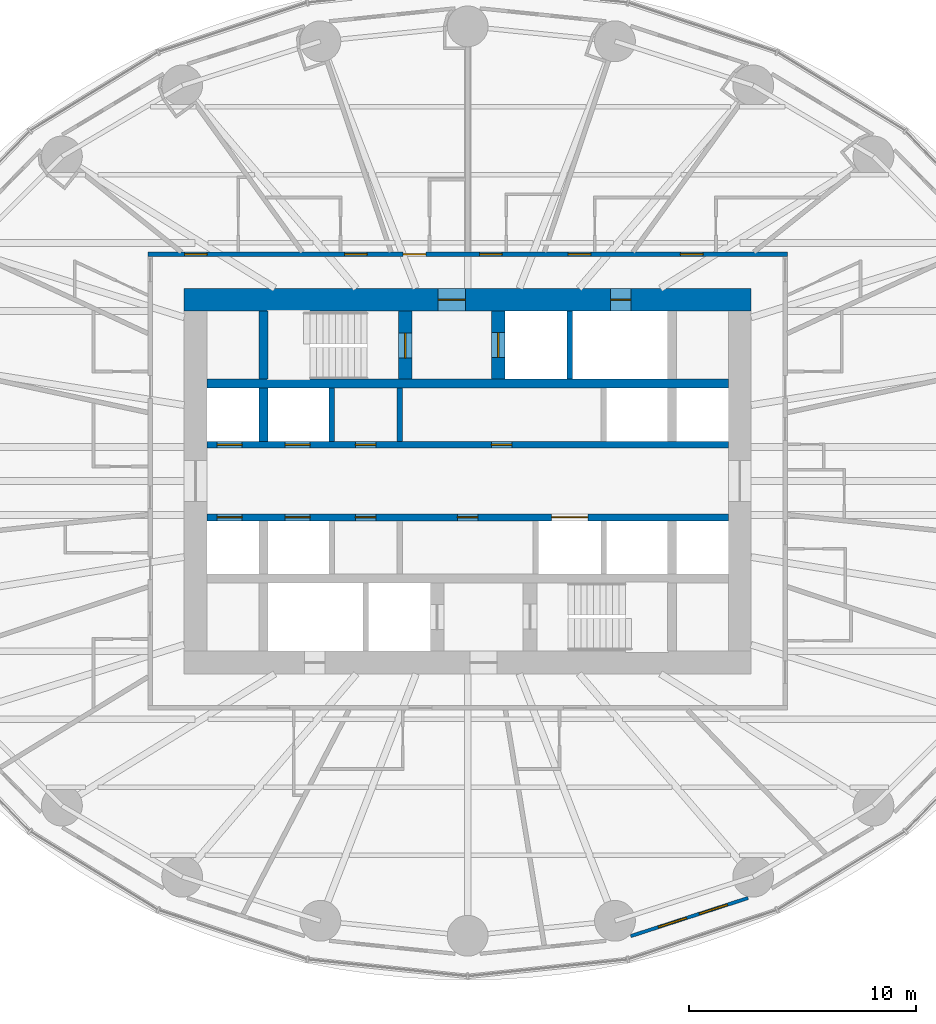
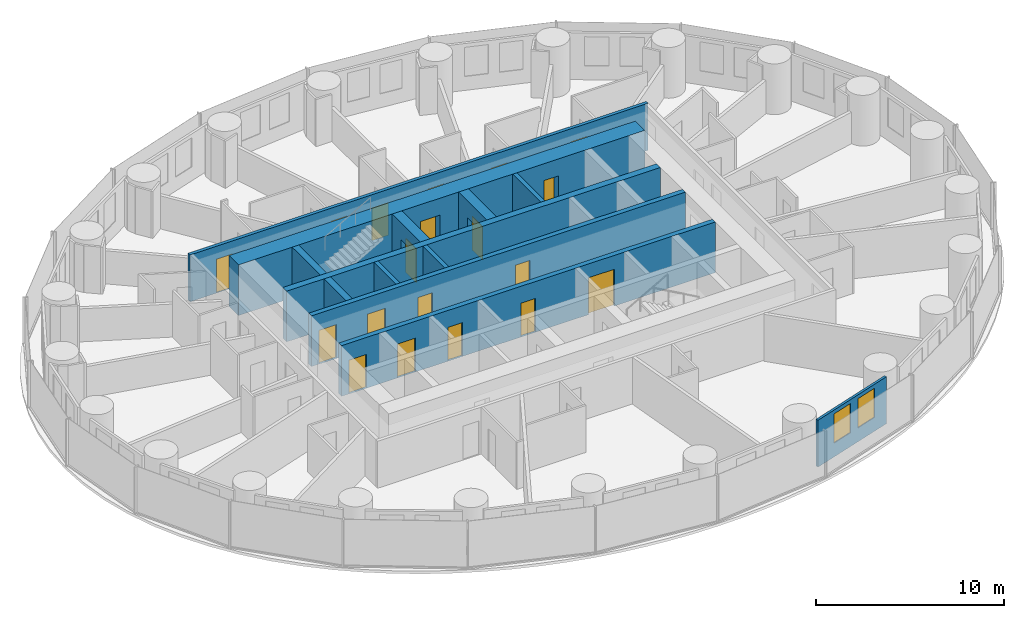
# One storey, part 8 of 13: 19 doors, 13 walls, 2 windows, 21 openings.
"""IFC4 building model written with IfcOpenShell, lengths in metres."""

import ifcopenshell
import ifcopenshell.guid

model = None  # the IFC model being written
_history = None  # IfcOwnerHistory: only IFC2X3 demands one
_inside = {}  # id of a spatial element -> (the spatial element, [elements in it])
_under = {}  # id of a project, library or spatial element -> (it, [spatial elements below it])
_declared = {}  # id of a project -> (the project, [libraries it declares])
_typed = {}  # id of a type object -> (the type object, [elements of that type])
_made_of = {}  # id of a material, layer set ... -> (it, [elements and type objects made of it])


def new_model(schema):
    """Start an empty IFC model of exactly this schema.

    Asked for "IFC4X3", IfcOpenShell would pick the latest addendum, in which some entities
    have other attributes; the version numbers below select the first issue.
    IFC2X3 requires an IfcOwnerHistory on every rooted entity: one is made here for all.
    """
    global model, _history
    if schema == "IFC4X3":
        model = ifcopenshell.file(schema_version=(4, 3, 0, 0))
    else:
        model = ifcopenshell.file(schema=schema)
    _inside.clear()
    _under.clear()
    _declared.clear()
    _typed.clear()
    _made_of.clear()
    _history = None
    if model.schema == "IFC2X3":
        org = make("IfcOrganization", Name="unknown")
        user = make(
            "IfcPersonAndOrganization",
            ThePerson=make("IfcPerson", FamilyName="unknown"),
            TheOrganization=org,
        )
        app = make(
            "IfcApplication",
            ApplicationDeveloper=org,
            Version="unknown",
            ApplicationFullName="unknown",
            ApplicationIdentifier="unknown",
        )
        _history = make(
            "IfcOwnerHistory",
            OwningUser=user,
            OwningApplication=app,
            ChangeAction="ADDED",
            CreationDate=0,
        )
    return model


def make(cls, **values):
    """One entity of the class cls with the attributes given. An attribute that is None is left unset."""
    return model.create_entity(
        cls, **{name: value for name, value in values.items() if value is not None}
    )


def rooted(cls, **values):
    """An entity with a GlobalId (a new one), such as an element, a storey or a relation."""
    return make(cls, GlobalId=ifcopenshell.guid.new(), OwnerHistory=_history, **values)


def si_unit(unit_type, name, prefix=None):
    """IfcSIUnit, for example si_unit("LENGTHUNIT", "METRE", prefix="MILLI")."""
    return make("IfcSIUnit", UnitType=unit_type, Prefix=prefix, Name=name)


def assignment(units):
    """IfcUnitAssignment: the units of a project."""
    return None if units is None else make("IfcUnitAssignment", Units=units)


def point(xyz):
    """IfcCartesianPoint."""
    return None if xyz is None else make("IfcCartesianPoint", Coordinates=xyz)


def direction(xyz):
    """IfcDirection."""
    return None if xyz is None else make("IfcDirection", DirectionRatios=xyz)


def frame(location, z_axis=None, x_axis=None):
    """IfcAxis2Placement3D, a coordinate frame: its origin and axes. An axis left out is left unset."""
    return make(
        "IfcAxis2Placement3D",
        Location=point(location),
        Axis=direction(z_axis),
        RefDirection=direction(x_axis),
    )


def frame_2d(location, x_axis=None):
    """IfcAxis2Placement2D, a coordinate frame in the plane: its origin and x axis."""
    return make(
        "IfcAxis2Placement2D", Location=point(location), RefDirection=direction(x_axis)
    )


def origin():
    """The frame at (0, 0, 0) with its axes left unset."""
    return frame((0.0, 0.0, 0.0))


def place(relative_to, where):
    """IfcLocalPlacement: puts the frame where relative to a parent placement (None: the world)."""
    return make(
        "IfcLocalPlacement", PlacementRelTo=relative_to, RelativePlacement=where
    )


def context(
    kind, dimensions, precision=None, world=None, true_north=None, identifier=None
):
    """IfcGeometricRepresentationContext, for example the 3D "Model" context."""
    return make(
        "IfcGeometricRepresentationContext",
        ContextIdentifier=identifier,
        ContextType=kind,
        CoordinateSpaceDimension=dimensions,
        Precision=precision,
        WorldCoordinateSystem=world,
        TrueNorth=true_north,
    )


def subcontext(parent, identifier, kind, view, scale=None):
    """IfcGeometricRepresentationSubContext, for example "Body" below "Model"."""
    return make(
        "IfcGeometricRepresentationSubContext",
        ContextIdentifier=identifier,
        ContextType=kind,
        ParentContext=parent,
        TargetScale=scale,
        TargetView=view,
    )


def project(units=None, contexts=None):
    """IfcProject with its units and contexts."""
    return rooted(
        "IfcProject",
        Name="project",
        RepresentationContexts=contexts,
        UnitsInContext=assignment(units),
    )


def spatial(cls, under=None, at=None, **own):
    """A site, building, storey or space (cls), placed at a placement, below another one or the project."""
    s = rooted(cls, ObjectPlacement=at, **own)
    if under is not None:
        _under.setdefault(under.id(), (under, []))[1].append(s)
    return s


def profile(cls, at=None, kind="AREA", **sizes):
    """A parametric profile (cls). Its sizes go by their IFC names, for example OverallWidth=200.0."""
    return make(cls, ProfileType=kind, Position=at, **sizes)


def rectangle(**sizes):
    """IfcRectangleProfileDef."""
    return profile("IfcRectangleProfileDef", **sizes)


def extrude(swept, where, along, depth):
    """IfcExtrudedAreaSolid: the profile swept, set in the frame where, extruded along a direction by depth."""
    return make(
        "IfcExtrudedAreaSolid",
        SweptArea=swept,
        Position=where,
        ExtrudedDirection=direction(along),
        Depth=depth,
    )


def shape(context_of_items, identifier, shape_type, items):
    """IfcShapeRepresentation: the items that make up one representation, for example the "Body"."""
    return make(
        "IfcShapeRepresentation",
        ContextOfItems=context_of_items,
        RepresentationIdentifier=identifier,
        RepresentationType=shape_type,
        Items=items,
    )


def material(Name=None, Category=None):
    """IfcMaterial."""
    return make("IfcMaterial", Name=Name, Category=Category)


def layer(
    of_material, thickness, ventilated=None, Name=None, Category=None, Priority=None
):
    """IfcMaterialLayer: one layer of a wall or slab, of a material (None: an air gap)."""
    return make(
        "IfcMaterialLayer",
        Material=of_material,
        LayerThickness=thickness,
        IsVentilated=ventilated,
        Name=Name,
        Category=Category,
        Priority=Priority,
    )


def layer_set(layers, Name=None):
    """IfcMaterialLayerSet."""
    return make("IfcMaterialLayerSet", MaterialLayers=layers, LayerSetName=Name)


def made_of(thing, what):
    """Note that an element or type object is made of a material, layer set ...; save() writes the relation."""
    if what is not None:
        _made_of.setdefault(what.id(), (what, []))[1].append(thing)
    return thing


def type_object(cls, material=None, **own):
    """A type object (cls), such as IfcWallType, which elements share."""
    return made_of(rooted(cls, **own), material)


def element(
    cls,
    number,
    at=None,
    inside=None,
    cuts=None,
    type_object=None,
    material=None,
    context=None,
    identifier="Body",
    shape_type=None,
    held_by="IfcProductDefinitionShape",
    body=None,
    shapes=None,
    **own,
):
    """One element of the class cls, such as IfcWall. Its Tag is "e" and its number.

    at: its placement. inside: the storey or other place that contains it. cuts: it is an
    opening in that element (IfcRelVoidsElement). A single representation is given by context,
    identifier, shape_type and body (its items); several are given by shapes. held_by: the class
    of the entity that holds the representations. save() writes the other relations.
    """
    e = rooted(cls, Tag="e%d" % number, ObjectPlacement=at, **own)
    if body is not None:
        shapes = [shape(context, identifier, shape_type, body)]
    if shapes is not None:
        e.Representation = make(held_by, Representations=shapes)
    if inside is not None:
        _inside.setdefault(inside.id(), (inside, []))[1].append(e)
    if cuts is not None:
        rooted(
            "IfcRelVoidsElement", RelatingBuildingElement=cuts, RelatedOpeningElement=e
        )
    if type_object is not None:
        _typed.setdefault(type_object.id(), (type_object, []))[1].append(e)
    return made_of(e, material)


def fill(opening, filler):
    """IfcRelFillsElement: the door or window that sits in an opening."""
    return rooted(
        "IfcRelFillsElement",
        RelatingOpeningElement=opening,
        RelatedBuildingElement=filler,
    )


def aggregate(whole, parts):
    """IfcRelAggregates: a whole, such as a stair, and the parts it consists of."""
    return rooted("IfcRelAggregates", RelatingObject=whole, RelatedObjects=parts)


def save(model, path):
    """Write the relations noted so far, then the file.

    IfcRelAggregates (storeys below a building ...), IfcRelContainedInSpatialStructure (elements
    in a storey), IfcRelDefinesByType, IfcRelAssociatesMaterial and IfcRelDeclares: one each for
    every whole, place, type object, material and project.
    """
    for whole, parts in _under.values():
        aggregate(whole, parts)
    for where, things in _inside.values():
        rooted(
            "IfcRelContainedInSpatialStructure",
            RelatedElements=things,
            RelatingStructure=where,
        )
    for kind, things in _typed.values():
        rooted("IfcRelDefinesByType", RelatedObjects=things, RelatingType=kind)
    for what, things in _made_of.values():
        rooted("IfcRelAssociatesMaterial", RelatedObjects=things, RelatingMaterial=what)
    for by, libraries in _declared.values():
        rooted("IfcRelDeclares", RelatingContext=by, RelatedDefinitions=libraries)
    model.write(path)


model = new_model("IFC4")

# Units and contexts
model_context = context("Model", 3, precision=1e-05, world=origin(), true_north=direction((0.0, 1.0)))
body_context = subcontext(model_context, "Body", "Model", "MODEL_VIEW")
ifc_project = project(units=[si_unit("LENGTHUNIT", "METRE"), si_unit("AREAUNIT", "SQUARE_METRE"), si_unit("VOLUMEUNIT", "CUBIC_METRE"), si_unit("PLANEANGLEUNIT", "RADIAN"), si_unit("MASSUNIT", "GRAM", prefix="KILO")], contexts=[model_context])

# Site, building, storey
site_placement = place(None, origin())
site = spatial("IfcSite", under=ifc_project, at=site_placement, CompositionType="ELEMENT")
building_placement = place(site_placement, origin())
building = spatial("IfcBuilding", under=site, at=building_placement, Name="Hankou Lantern Tower", CompositionType="ELEMENT")
storey_placement = place(building_placement, frame((0.0, 0.0, 42.60009765625)))
storey = spatial("IfcBuildingStorey", under=building, at=storey_placement, Name="L09", CompositionType="ELEMENT", Elevation=42.60009765625)

# Wall, openings, doors
ifc_material_1 = material(Name="Concrete C60", Category="concrete")
ifc_layer_1 = layer(ifc_material_1, 1.0)
ifc_layer_set_1 = layer_set([ifc_layer_1], Name="Concrete C60")
wall_type_1 = type_object("IfcWallType", Name="CW1 CORE WALL 1000", PredefinedType="SHEAR", material=ifc_layer_set_1)
wall_1_placement = place(storey_placement, frame((-12.5, 8.0, 0.0), z_axis=(0.0, 0.0, 1.0), x_axis=(1.0, 0.0, 0.0)))
wall_1 = element("IfcWall", 1, at=wall_1_placement, inside=storey, type_object=wall_type_1, Name="Core wall north L09", PredefinedType="SHEAR", context=body_context, shape_type="SweptSolid", body=[
    extrude(rectangle(XDim=25.0, YDim=1.0, at=frame_2d((12.5, 0.0))), origin(), (0.0, 0.0, 1.0), 3.2998046875),
])
opening_1_placement = place(wall_1_placement, frame((11.199951171875, 0.0, 0.0)))
opening_1 = element("IfcOpeningElement", 2, at=opening_1_placement, cuts=wall_1, Name="Opening D5", PredefinedType="OPENING", context=body_context, shape_type="SweptSolid", body=[
    extrude(rectangle(XDim=1.199951171875, YDim=2.199951171875, at=frame_2d((0.60009765625, 1.10009765625))), frame((0.0, 0.510009765625, 0.0), z_axis=(0.0, -1.0, 0.0), x_axis=(1.0, 0.0, 0.0)), (0.0, 0.0, 1.0), 1.02001953125),
])
opening_2_placement = place(wall_1_placement, frame((18.800048828125, 0.0, 0.0)))
opening_2 = element("IfcOpeningElement", 3, at=opening_2_placement, cuts=wall_1, Name="Opening D7", PredefinedType="OPENING", context=body_context, shape_type="SweptSolid", body=[
    extrude(rectangle(XDim=0.89990234375, YDim=2.199951171875, at=frame_2d((0.449951171875, 1.10009765625))), frame((0.0, 0.510009765625, 0.0), z_axis=(0.0, -1.0, 0.0), x_axis=(1.0, 0.0, 0.0)), (0.0, 0.0, 1.0), 1.02001953125),
])
ifc_material_2 = material(Name="Steel door leaf", Category="steel")
door_type_1 = type_object("IfcDoorType", Name="D5 STAIR LOBBY DOOR 1200X2200", OperationType="SINGLE_SWING_LEFT", PredefinedType="DOOR", material=ifc_material_2)
door_1_placement = place(opening_1_placement, origin())
door_1 = element("IfcDoor", 4, at=door_1_placement, inside=storey, type_object=door_type_1, Name="Stair A lobby door", OperationType="SINGLE_SWING_LEFT", OverallHeight=2.199951171875, OverallWidth=1.199951171875, PredefinedType="DOOR", context=body_context, shape_type="SweptSolid", body=[
    extrude(rectangle(XDim=1.199951171875, YDim=2.199951171875, at=frame_2d((0.60009765625, 1.10009765625))), frame((0.0, 0.02490234375, 0.0), z_axis=(0.0, -1.0, 0.0), x_axis=(1.0, 0.0, 0.0)), (0.0, 0.0, 1.0), 0.050048828125),
])
fill(opening_1, door_1)
ifc_material_3 = material(Name="Steel door leaf", Category="steel")
door_type_2 = type_object("IfcDoorType", Name="D7 RISER DOOR 900X2200", OperationType="SINGLE_SWING_LEFT", PredefinedType="DOOR", material=ifc_material_3)
door_2_placement = place(opening_2_placement, origin())
door_2 = element("IfcDoor", 5, at=door_2_placement, inside=storey, type_object=door_type_2, Name="Riser N1 door", OperationType="SINGLE_SWING_RIGHT", OverallHeight=2.199951171875, OverallWidth=0.89990234375, PredefinedType="DOOR", context=body_context, shape_type="SweptSolid", body=[
    extrude(rectangle(XDim=0.89990234375, YDim=2.199951171875, at=frame_2d((0.449951171875, 1.10009765625))), frame((0.0, 0.02490234375, 0.0), z_axis=(0.0, -1.0, 0.0), x_axis=(1.0, 0.0, 0.0)), (0.0, 0.0, 1.0), 0.050048828125),
])
fill(opening_2, door_2)

# Walls
ifc_material_4 = material(Name="Concrete C60", Category="concrete")
ifc_layer_2 = layer(ifc_material_4, 0.39990234375)
ifc_layer_set_2 = layer_set([ifc_layer_2], Name="Concrete C60")
wall_type_2 = type_object("IfcWallType", Name="CW4 CORE CROSS WALL 400", PredefinedType="SHEAR", material=ifc_layer_set_2)
wall_2_placement = place(storey_placement, frame((-11.5, 4.300048828125, 0.0), z_axis=(0.0, 0.0, 1.0), x_axis=(1.0, 0.0, 0.0)))
element("IfcWall", 6, at=wall_2_placement, inside=storey, type_object=wall_type_2, Name="Core band wall north L09", PredefinedType="SHEAR", context=body_context, shape_type="SweptSolid", body=[
    extrude(rectangle(XDim=23.0, YDim=0.39990234375, at=frame_2d((11.5, 0.0))), origin(), (0.0, 0.0, 1.0), 3.2998046875),
])
wall_3_placement = place(storey_placement, frame((-9.0, 4.5, 0.0), z_axis=(0.0, 0.0, 1.0), x_axis=(0.0, 1.0, 0.0)))
element("IfcWall", 7, at=wall_3_placement, inside=storey, type_object=wall_type_2, Name="Core strip wall L09", PredefinedType="SHEAR", context=body_context, shape_type="SweptSolid", body=[
    extrude(rectangle(XDim=3.0, YDim=0.39990234375, at=frame_2d((1.5, 0.0))), origin(), (0.0, 0.0, 1.0), 3.2998046875),
])
wall_4_placement = place(storey_placement, frame((-9.0, 1.75, 0.0), z_axis=(0.0, 0.0, 1.0), x_axis=(0.0, 1.0, 0.0)))
element("IfcWall", 8, at=wall_4_placement, inside=storey, type_object=wall_type_2, Name="Core strip wall L09", PredefinedType="SHEAR", context=body_context, shape_type="SweptSolid", body=[
    extrude(rectangle(XDim=2.35009765625, YDim=0.39990234375, at=frame_2d((1.175048828125, 0.0))), origin(), (0.0, 0.0, 1.0), 3.2998046875),
])

# Wall, openings, doors
ifc_material_5 = material(Name="Concrete C60", Category="concrete")
ifc_layer_3 = layer(ifc_material_5, 0.300048828125)
ifc_layer_set_3 = layer_set([ifc_layer_3], Name="Concrete C60")
wall_type_3 = type_object("IfcWallType", Name="CW5 LIFT LOBBY WALL 300", PredefinedType="SHEAR", material=ifc_layer_set_3)
wall_5_placement = place(storey_placement, frame((-11.5, 1.60009765625, 0.0), z_axis=(0.0, 0.0, 1.0), x_axis=(1.0, 0.0, 0.0)))
wall_5 = element("IfcWall", 9, at=wall_5_placement, inside=storey, type_object=wall_type_3, Name="Lift lobby wall north L09", PredefinedType="SHEAR", context=body_context, shape_type="SweptSolid", body=[
    extrude(rectangle(XDim=23.0, YDim=0.300048828125, at=frame_2d((11.5, 0.0))), origin(), (0.0, 0.0, 1.0), 3.2998046875),
])
opening_3_placement = place(wall_5_placement, frame((0.449951171875, 0.0, 0.0)))
opening_3 = element("IfcOpeningElement", 10, at=opening_3_placement, cuts=wall_5, Name="Opening LD1", PredefinedType="OPENING", context=body_context, shape_type="SweptSolid", body=[
    extrude(rectangle(XDim=1.10009765625, YDim=2.199951171875, at=frame_2d((0.550048828125, 1.10009765625))), frame((0.0, 0.159912109375, 0.0), z_axis=(0.0, -1.0, 0.0), x_axis=(1.0, 0.0, 0.0)), (0.0, 0.0, 1.0), 0.320068359375),
])
opening_4_placement = place(wall_5_placement, frame((3.449951171875, 0.0, 0.0)))
opening_4 = element("IfcOpeningElement", 11, at=opening_4_placement, cuts=wall_5, Name="Opening LD1", PredefinedType="OPENING", context=body_context, shape_type="SweptSolid", body=[
    extrude(rectangle(XDim=1.10009765625, YDim=2.199951171875, at=frame_2d((0.550048828125, 1.10009765625))), frame((0.0, 0.159912109375, 0.0), z_axis=(0.0, -1.0, 0.0), x_axis=(1.0, 0.0, 0.0)), (0.0, 0.0, 1.0), 0.320068359375),
])
opening_5_placement = place(wall_5_placement, frame((6.550048828125, 0.0, 0.0)))
opening_5 = element("IfcOpeningElement", 12, at=opening_5_placement, cuts=wall_5, Name="Opening D30", PredefinedType="OPENING", context=body_context, shape_type="SweptSolid", body=[
    extrude(rectangle(XDim=0.89990234375, YDim=2.199951171875, at=frame_2d((0.449951171875, 1.10009765625))), frame((0.0, 0.159912109375, 0.0), z_axis=(0.0, -1.0, 0.0), x_axis=(1.0, 0.0, 0.0)), (0.0, 0.0, 1.0), 0.320068359375),
])
opening_6_placement = place(wall_5_placement, frame((12.550048828125, 0.0, 0.0)))
opening_6 = element("IfcOpeningElement", 13, at=opening_6_placement, cuts=wall_5, Name="Opening D30", PredefinedType="OPENING", context=body_context, shape_type="SweptSolid", body=[
    extrude(rectangle(XDim=0.89990234375, YDim=2.199951171875, at=frame_2d((0.449951171875, 1.10009765625))), frame((0.0, 0.159912109375, 0.0), z_axis=(0.0, -1.0, 0.0), x_axis=(1.0, 0.0, 0.0)), (0.0, 0.0, 1.0), 0.320068359375),
])
ifc_material_6 = material(Name="Steel door leaf", Category="steel")
door_type_3 = type_object("IfcDoorType", Name="D30 CORE ROOM DOOR 900X2200", OperationType="SINGLE_SWING_LEFT", PredefinedType="DOOR", material=ifc_material_6)
door_3_placement = place(opening_5_placement, origin())
door_3 = element("IfcDoor", 14, at=door_3_placement, inside=storey, type_object=door_type_3, Name="Engineering store door", OperationType="SINGLE_SWING_LEFT", OverallHeight=2.199951171875, OverallWidth=0.89990234375, PredefinedType="DOOR", context=body_context, shape_type="SweptSolid", body=[
    extrude(rectangle(XDim=0.89990234375, YDim=2.199951171875, at=frame_2d((0.449951171875, 1.10009765625))), frame((0.0, 0.02490234375, 0.0), z_axis=(0.0, -1.0, 0.0), x_axis=(1.0, 0.0, 0.0)), (0.0, 0.0, 1.0), 0.050048828125),
])
fill(opening_5, door_3)
door_4_placement = place(opening_6_placement, origin())
door_4 = element("IfcDoor", 15, at=door_4_placement, inside=storey, type_object=door_type_3, Name="Housekeeping and linen store door", OperationType="SINGLE_SWING_RIGHT", OverallHeight=2.199951171875, OverallWidth=0.89990234375, PredefinedType="DOOR", context=body_context, shape_type="SweptSolid", body=[
    extrude(rectangle(XDim=0.89990234375, YDim=2.199951171875, at=frame_2d((0.449951171875, 1.10009765625))), frame((0.0, 0.02490234375, 0.0), z_axis=(0.0, -1.0, 0.0), x_axis=(1.0, 0.0, 0.0)), (0.0, 0.0, 1.0), 0.050048828125),
])
fill(opening_6, door_4)
ifc_material_7 = material(Name="Steel door leaf", Category="steel")
door_type_4 = type_object("IfcDoorType", Name="LD1 LIFT LANDING DOOR 1100X2200", OperationType="DOUBLE_DOOR_SLIDING", PredefinedType="DOOR", material=ifc_material_7)
door_5_placement = place(opening_3_placement, origin())
door_5 = element("IfcDoor", 16, at=door_5_placement, inside=storey, type_object=door_type_4, Name="Lift L1 landing door", OperationType="DOUBLE_DOOR_SLIDING", OverallHeight=2.199951171875, OverallWidth=1.10009765625, PredefinedType="DOOR", context=body_context, shape_type="SweptSolid", body=[
    extrude(rectangle(XDim=1.10009765625, YDim=2.199951171875, at=frame_2d((0.550048828125, 1.10009765625))), frame((0.0, 0.02490234375, 0.0), z_axis=(0.0, -1.0, 0.0), x_axis=(1.0, 0.0, 0.0)), (0.0, 0.0, 1.0), 0.050048828125),
])
fill(opening_3, door_5)
door_6_placement = place(opening_4_placement, origin())
door_6 = element("IfcDoor", 17, at=door_6_placement, inside=storey, type_object=door_type_4, Name="Lift L2 landing door", OperationType="DOUBLE_DOOR_SLIDING", OverallHeight=2.199951171875, OverallWidth=1.10009765625, PredefinedType="DOOR", context=body_context, shape_type="SweptSolid", body=[
    extrude(rectangle(XDim=1.10009765625, YDim=2.199951171875, at=frame_2d((0.550048828125, 1.10009765625))), frame((0.0, 0.02490234375, 0.0), z_axis=(0.0, -1.0, 0.0), x_axis=(1.0, 0.0, 0.0)), (0.0, 0.0, 1.0), 0.050048828125),
])
fill(opening_4, door_6)

wall_6_placement = place(storey_placement, frame((-11.5, -1.60009765625, 0.0), z_axis=(0.0, 0.0, 1.0), x_axis=(1.0, 0.0, 0.0)))
wall_6 = element("IfcWall", 18, at=wall_6_placement, inside=storey, type_object=wall_type_3, Name="Lift lobby wall south L09", PredefinedType="SHEAR", context=body_context, shape_type="SweptSolid", body=[
    extrude(rectangle(XDim=23.0, YDim=0.300048828125, at=frame_2d((11.5, 0.0))), origin(), (0.0, 0.0, 1.0), 3.2998046875),
])
opening_7_placement = place(wall_6_placement, frame((0.449951171875, 0.0, 0.0)))
opening_7 = element("IfcOpeningElement", 19, at=opening_7_placement, cuts=wall_6, Name="Opening LD1", PredefinedType="OPENING", context=body_context, shape_type="SweptSolid", body=[
    extrude(rectangle(XDim=1.10009765625, YDim=2.199951171875, at=frame_2d((0.550048828125, 1.10009765625))), frame((0.0, 0.159912109375, 0.0), z_axis=(0.0, -1.0, 0.0), x_axis=(1.0, 0.0, 0.0)), (0.0, 0.0, 1.0), 0.320068359375),
])
opening_8_placement = place(wall_6_placement, frame((3.449951171875, 0.0, 0.0)))
opening_8 = element("IfcOpeningElement", 20, at=opening_8_placement, cuts=wall_6, Name="Opening LD1", PredefinedType="OPENING", context=body_context, shape_type="SweptSolid", body=[
    extrude(rectangle(XDim=1.10009765625, YDim=2.199951171875, at=frame_2d((0.550048828125, 1.10009765625))), frame((0.0, 0.159912109375, 0.0), z_axis=(0.0, -1.0, 0.0), x_axis=(1.0, 0.0, 0.0)), (0.0, 0.0, 1.0), 0.320068359375),
])
opening_9_placement = place(wall_6_placement, frame((15.199951171875, 0.0, 0.0)))
opening_9 = element("IfcOpeningElement", 21, at=opening_9_placement, cuts=wall_6, Name="Opening LD4", PredefinedType="OPENING", context=body_context, shape_type="SweptSolid", body=[
    extrude(rectangle(XDim=1.60009765625, YDim=2.39990234375, at=frame_2d((0.800048828125, 1.199951171875))), frame((0.0, 0.159912109375, 0.0), z_axis=(0.0, -1.0, 0.0), x_axis=(1.0, 0.0, 0.0)), (0.0, 0.0, 1.0), 0.320068359375),
])
opening_10_placement = place(wall_6_placement, frame((6.550048828125, 0.0, 0.0)))
opening_10 = element("IfcOpeningElement", 22, at=opening_10_placement, cuts=wall_6, Name="Opening D30", PredefinedType="OPENING", context=body_context, shape_type="SweptSolid", body=[
    extrude(rectangle(XDim=0.89990234375, YDim=2.199951171875, at=frame_2d((0.449951171875, 1.10009765625))), frame((0.0, 0.159912109375, 0.0), z_axis=(0.0, -1.0, 0.0), x_axis=(1.0, 0.0, 0.0)), (0.0, 0.0, 1.0), 0.320068359375),
])
opening_11_placement = place(wall_6_placement, frame((11.050048828125, 0.0, 0.0)))
opening_11 = element("IfcOpeningElement", 23, at=opening_11_placement, cuts=wall_6, Name="Opening D30", PredefinedType="OPENING", context=body_context, shape_type="SweptSolid", body=[
    extrude(rectangle(XDim=0.89990234375, YDim=2.199951171875, at=frame_2d((0.449951171875, 1.10009765625))), frame((0.0, 0.159912109375, 0.0), z_axis=(0.0, -1.0, 0.0), x_axis=(1.0, 0.0, 0.0)), (0.0, 0.0, 1.0), 0.320068359375),
])
door_7_placement = place(opening_10_placement, origin())
door_7 = element("IfcDoor", 24, at=door_7_placement, inside=storey, type_object=door_type_3, Name="Minibar store door", OperationType="SINGLE_SWING_LEFT", OverallHeight=2.199951171875, OverallWidth=0.89990234375, PredefinedType="DOOR", context=body_context, shape_type="SweptSolid", body=[
    extrude(rectangle(XDim=0.89990234375, YDim=2.199951171875, at=frame_2d((0.449951171875, 1.10009765625))), frame((0.0, 0.02490234375, 0.0), z_axis=(0.0, -1.0, 0.0), x_axis=(1.0, 0.0, 0.0)), (0.0, 0.0, 1.0), 0.050048828125),
])
fill(opening_10, door_7)
door_8_placement = place(opening_11_placement, origin())
door_8 = element("IfcDoor", 25, at=door_8_placement, inside=storey, type_object=door_type_3, Name="Cleaner's store door", OperationType="SINGLE_SWING_LEFT", OverallHeight=2.199951171875, OverallWidth=0.89990234375, PredefinedType="DOOR", context=body_context, shape_type="SweptSolid", body=[
    extrude(rectangle(XDim=0.89990234375, YDim=2.199951171875, at=frame_2d((0.449951171875, 1.10009765625))), frame((0.0, 0.02490234375, 0.0), z_axis=(0.0, -1.0, 0.0), x_axis=(1.0, 0.0, 0.0)), (0.0, 0.0, 1.0), 0.050048828125),
])
fill(opening_11, door_8)
door_9_placement = place(opening_7_placement, origin())
door_9 = element("IfcDoor", 26, at=door_9_placement, inside=storey, type_object=door_type_4, Name="Lift L3 landing door", OperationType="DOUBLE_DOOR_SLIDING", OverallHeight=2.199951171875, OverallWidth=1.10009765625, PredefinedType="DOOR", context=body_context, shape_type="SweptSolid", body=[
    extrude(rectangle(XDim=1.10009765625, YDim=2.199951171875, at=frame_2d((0.550048828125, 1.10009765625))), frame((0.0, 0.02490234375, 0.0), z_axis=(0.0, -1.0, 0.0), x_axis=(1.0, 0.0, 0.0)), (0.0, 0.0, 1.0), 0.050048828125),
])
fill(opening_7, door_9)
door_10_placement = place(opening_8_placement, origin())
door_10 = element("IfcDoor", 27, at=door_10_placement, inside=storey, type_object=door_type_4, Name="Lift L4 landing door", OperationType="DOUBLE_DOOR_SLIDING", OverallHeight=2.199951171875, OverallWidth=1.10009765625, PredefinedType="DOOR", context=body_context, shape_type="SweptSolid", body=[
    extrude(rectangle(XDim=1.10009765625, YDim=2.199951171875, at=frame_2d((0.550048828125, 1.10009765625))), frame((0.0, 0.02490234375, 0.0), z_axis=(0.0, -1.0, 0.0), x_axis=(1.0, 0.0, 0.0)), (0.0, 0.0, 1.0), 0.050048828125),
])
fill(opening_8, door_10)
ifc_material_8 = material(Name="Steel door leaf", Category="steel")
door_type_5 = type_object("IfcDoorType", Name="LD4 SERVICE LIFT LANDING DOOR 1600X2400", OperationType="DOUBLE_DOOR_SLIDING", PredefinedType="DOOR", material=ifc_material_8)
door_11_placement = place(opening_9_placement, origin())
door_11 = element("IfcDoor", 28, at=door_11_placement, inside=storey, type_object=door_type_5, Name="Lift SV1 landing door", OperationType="DOUBLE_DOOR_SLIDING", OverallHeight=2.39990234375, OverallWidth=1.60009765625, PredefinedType="DOOR", context=body_context, shape_type="SweptSolid", body=[
    extrude(rectangle(XDim=1.60009765625, YDim=2.39990234375, at=frame_2d((0.800048828125, 1.199951171875))), frame((0.0, 0.02490234375, 0.0), z_axis=(0.0, -1.0, 0.0), x_axis=(1.0, 0.0, 0.0)), (0.0, 0.0, 1.0), 0.050048828125),
])
fill(opening_9, door_11)

# Wall, opening, door
ifc_material_9 = material(Name="Concrete C60", Category="concrete")
ifc_layer_4 = layer(ifc_material_9, 0.60009765625)
ifc_layer_set_4 = layer_set([ifc_layer_4], Name="Concrete C60")
wall_type_4 = type_object("IfcWallType", Name="CW6 STAIR AND SHAFT WALL 600", PredefinedType="SHEAR", material=ifc_layer_set_4)
wall_7_placement = place(storey_placement, frame((-2.75, 4.5, 0.0), z_axis=(0.0, 0.0, 1.0), x_axis=(0.0, 1.0, 0.0)))
wall_7 = element("IfcWall", 29, at=wall_7_placement, inside=storey, type_object=wall_type_4, Name="Stair wall L09", PredefinedType="SHEAR", context=body_context, shape_type="SweptSolid", body=[
    extrude(rectangle(XDim=3.0, YDim=0.60009765625, at=frame_2d((1.5, 0.0))), origin(), (0.0, 0.0, 1.0), 3.2998046875),
])
opening_12_placement = place(wall_7_placement, frame((0.925048828125, 0.0, 0.0)))
opening_12 = element("IfcOpeningElement", 30, at=opening_12_placement, cuts=wall_7, Name="Opening D4", PredefinedType="OPENING", context=body_context, shape_type="SweptSolid", body=[
    extrude(rectangle(XDim=1.10009765625, YDim=2.199951171875, at=frame_2d((0.550048828125, 1.10009765625))), frame((0.0, 0.31005859375, 0.0), z_axis=(0.0, -1.0, 0.0), x_axis=(1.0, 0.0, 0.0)), (0.0, 0.0, 1.0), 0.6201171875),
])
ifc_material_10 = material(Name="Steel door leaf", Category="steel")
door_type_6 = type_object("IfcDoorType", Name="D4 STAIR DOOR 1100X2200", OperationType="SINGLE_SWING_LEFT", PredefinedType="DOOR", material=ifc_material_10)
door_12_placement = place(opening_12_placement, origin())
door_12 = element("IfcDoor", 31, at=door_12_placement, inside=storey, type_object=door_type_6, Name="Stair A door", OperationType="SINGLE_SWING_LEFT", OverallHeight=2.199951171875, OverallWidth=1.10009765625, PredefinedType="DOOR", context=body_context, shape_type="SweptSolid", body=[
    extrude(rectangle(XDim=1.10009765625, YDim=2.199951171875, at=frame_2d((0.550048828125, 1.10009765625))), frame((0.0, 0.02490234375, 0.0), z_axis=(0.0, -1.0, 0.0), x_axis=(1.0, 0.0, 0.0)), (0.0, 0.0, 1.0), 0.050048828125),
])
fill(opening_12, door_12)

wall_8_placement = place(storey_placement, frame((1.35009765625, 4.5, 0.0), z_axis=(0.0, 0.0, 1.0), x_axis=(0.0, 1.0, 0.0)))
wall_8 = element("IfcWall", 32, at=wall_8_placement, inside=storey, type_object=wall_type_4, Name="Firefighting lift shaft wall L09", PredefinedType="SHEAR", context=body_context, shape_type="SweptSolid", body=[
    extrude(rectangle(XDim=3.0, YDim=0.60009765625, at=frame_2d((1.5, 0.0))), origin(), (0.0, 0.0, 1.0), 3.2998046875),
])
opening_13_placement = place(wall_8_placement, frame((0.949951171875, 0.0, 0.0)))
opening_13 = element("IfcOpeningElement", 33, at=opening_13_placement, cuts=wall_8, Name="Opening LD2", PredefinedType="OPENING", context=body_context, shape_type="SweptSolid", body=[
    extrude(rectangle(XDim=1.10009765625, YDim=2.199951171875, at=frame_2d((0.550048828125, 1.10009765625))), frame((0.0, 0.31005859375, 0.0), z_axis=(0.0, -1.0, 0.0), x_axis=(1.0, 0.0, 0.0)), (0.0, 0.0, 1.0), 0.6201171875),
])
ifc_material_11 = material(Name="Steel door leaf", Category="steel")
door_type_7 = type_object("IfcDoorType", Name="LD2 FIREFIGHTING LIFT LANDING DOOR 1100X2200", OperationType="DOUBLE_DOOR_SLIDING", PredefinedType="DOOR", material=ifc_material_11)
door_13_placement = place(opening_13_placement, origin())
door_13 = element("IfcDoor", 34, at=door_13_placement, inside=storey, type_object=door_type_7, Name="Firefighting lift FL1 landing door", OperationType="DOUBLE_DOOR_SLIDING", OverallHeight=2.199951171875, OverallWidth=1.10009765625, PredefinedType="DOOR", context=body_context, shape_type="SweptSolid", body=[
    extrude(rectangle(XDim=1.10009765625, YDim=2.199951171875, at=frame_2d((0.550048828125, 1.10009765625))), frame((0.0, 0.02490234375, 0.0), z_axis=(0.0, -1.0, 0.0), x_axis=(1.0, 0.0, 0.0)), (0.0, 0.0, 1.0), 0.050048828125),
])
fill(opening_13, door_13)

# Wall, openings, windows
ifc_material_12 = material(Name="Aluminium spandrel panel on steel studs", Category="steel")
ifc_layer_5 = layer(ifc_material_12, 0.14990234375)
ifc_layer_set_5 = layer_set([ifc_layer_5], Name="Aluminium spandrel panel on steel studs")
wall_type_5 = type_object("IfcWallType", Name="EW1 INNER SKIN WALL 150", PredefinedType="ELEMENTEDWALL", material=ifc_layer_set_5)
wall_9_placement = place(storey_placement, frame((7.188232421875, -20.06494140625, 0.0), z_axis=(0.0, 0.0, 1.0), x_axis=(0.951138486029, 0.308764603532, 0.0)))
wall_9 = element("IfcWall", 35, at=wall_9_placement, inside=storey, type_object=wall_type_5, Name="Inner skin R20-R21 L09", PredefinedType="ELEMENTEDWALL", context=body_context, shape_type="SweptSolid", body=[
    extrude(rectangle(XDim=5.444091796875, YDim=0.14990234375, at=frame_2d((2.72216796875, 0.0))), origin(), (0.0, 0.0, 1.0), 3.0498046875),
])
opening_14_placement = place(wall_9_placement, frame((1.2841796875, 0.0, 0.89990234375)))
opening_14 = element("IfcOpeningElement", 36, at=opening_14_placement, cuts=wall_9, Name="Opening W9", PredefinedType="OPENING", context=body_context, shape_type="SweptSolid", body=[
    extrude(rectangle(XDim=1.300048828125, YDim=1.89990234375, at=frame_2d((0.64990234375, 0.949951171875))), frame((0.0, 0.0849609375, 0.0), z_axis=(0.0, -1.0, 0.0), x_axis=(1.0, 0.0, 0.0)), (0.0, 0.0, 1.0), 0.169921875),
])
opening_15_placement = place(wall_9_placement, frame((3.18408203125, 0.0, 0.89990234375)))
opening_15 = element("IfcOpeningElement", 37, at=opening_15_placement, cuts=wall_9, Name="Opening W9", PredefinedType="OPENING", context=body_context, shape_type="SweptSolid", body=[
    extrude(rectangle(XDim=1.300048828125, YDim=1.89990234375, at=frame_2d((0.64990234375, 0.949951171875))), frame((0.0, 0.0849609375, 0.0), z_axis=(0.0, -1.0, 0.0), x_axis=(1.0, 0.0, 0.0)), (0.0, 0.0, 1.0), 0.169921875),
])
ifc_material_13 = material(Name="Aluminium framed double glazed window", Category="aluminium")
window_type = type_object("IfcWindowType", Name="W9 GUEST ROOM WINDOW 1300X1900", PartitioningType="DOUBLE_PANEL_VERTICAL", PredefinedType="WINDOW", material=ifc_material_13)
window_1_placement = place(opening_14_placement, origin())
window_1 = element("IfcWindow", 38, at=window_1_placement, inside=storey, type_object=window_type, Name="Window R20.1 L09", OverallHeight=1.89990234375, OverallWidth=1.300048828125, PartitioningType="SINGLE_PANEL", PredefinedType="WINDOW", context=body_context, shape_type="SweptSolid", body=[
    extrude(rectangle(XDim=1.300048828125, YDim=1.89990234375, at=frame_2d((0.64990234375, 0.949951171875))), frame((0.0, 0.030029296875, 0.0), z_axis=(0.0, -1.0, 0.0), x_axis=(1.0, 0.0, 0.0)), (0.0, 0.0, 1.0), 0.06005859375),
])
fill(opening_14, window_1)
window_2_placement = place(opening_15_placement, origin())
window_2 = element("IfcWindow", 39, at=window_2_placement, inside=storey, type_object=window_type, Name="Window R20.2 L09", OverallHeight=1.89990234375, OverallWidth=1.300048828125, PartitioningType="SINGLE_PANEL", PredefinedType="WINDOW", context=body_context, shape_type="SweptSolid", body=[
    extrude(rectangle(XDim=1.300048828125, YDim=1.89990234375, at=frame_2d((0.64990234375, 0.949951171875))), frame((0.0, 0.030029296875, 0.0), z_axis=(0.0, -1.0, 0.0), x_axis=(1.0, 0.0, 0.0)), (0.0, 0.0, 1.0), 0.06005859375),
])
fill(opening_15, window_2)

# Wall, openings, doors
ifc_material_14 = material(Name="Masonry lightweight concrete block", Category="masonry")
ifc_layer_6 = layer(ifc_material_14, 0.199951171875)
ifc_layer_set_6 = layer_set([ifc_layer_6], Name="Masonry lightweight concrete block")
wall_type_6 = type_object("IfcWallType", Name="IW2 CORRIDOR WALL 200", PredefinedType="PARTITIONING", material=ifc_layer_set_6)
wall_10_placement = place(storey_placement, frame((-14.10009765625, 10.0, 0.0), z_axis=(0.0, 0.0, 1.0), x_axis=(1.0, 0.0, 0.0)))
wall_10 = element("IfcWall", 40, at=wall_10_placement, inside=storey, type_object=wall_type_6, Name="Corridor wall north", PredefinedType="PARTITIONING", context=body_context, shape_type="SweptSolid", body=[
    extrude(rectangle(XDim=28.2001953125, YDim=0.199951171875, at=frame_2d((14.10009765625, 0.0))), origin(), (0.0, 0.0, 1.0), 3.0498046875),
])
opening_16_placement = place(wall_10_placement, frame((23.476806640625, 0.0, 0.0)))
opening_16 = element("IfcOpeningElement", 41, at=opening_16_placement, cuts=wall_10, Name="Opening D1", PredefinedType="OPENING", context=body_context, shape_type="SweptSolid", body=[
    extrude(rectangle(XDim=1.0, YDim=2.199951171875, at=frame_2d((0.5, 1.10009765625))), frame((0.0, 0.10986328125, 0.0), z_axis=(0.0, -1.0, 0.0), x_axis=(1.0, 0.0, 0.0)), (0.0, 0.0, 1.0), 0.219970703125),
])
opening_17_placement = place(wall_10_placement, frame((18.529052734375, 0.0, 0.0)))
opening_17 = element("IfcOpeningElement", 42, at=opening_17_placement, cuts=wall_10, Name="Opening D1", PredefinedType="OPENING", context=body_context, shape_type="SweptSolid", body=[
    extrude(rectangle(XDim=1.0, YDim=2.199951171875, at=frame_2d((0.5, 1.10009765625))), frame((0.0, 0.10986328125, 0.0), z_axis=(0.0, -1.0, 0.0), x_axis=(1.0, 0.0, 0.0)), (0.0, 0.0, 1.0), 0.219970703125),
])
opening_18_placement = place(wall_10_placement, frame((14.622802734375, 0.0, 0.0)))
opening_18 = element("IfcOpeningElement", 43, at=opening_18_placement, cuts=wall_10, Name="Opening D1", PredefinedType="OPENING", context=body_context, shape_type="SweptSolid", body=[
    extrude(rectangle(XDim=1.0, YDim=2.199951171875, at=frame_2d((0.5, 1.10009765625))), frame((0.0, 0.10986328125, 0.0), z_axis=(0.0, -1.0, 0.0), x_axis=(1.0, 0.0, 0.0)), (0.0, 0.0, 1.0), 0.219970703125),
])
opening_19_placement = place(wall_10_placement, frame((11.251953125, 0.0, 0.0)))
opening_19 = element("IfcOpeningElement", 44, at=opening_19_placement, cuts=wall_10, Name="Opening D32", PredefinedType="OPENING", context=body_context, shape_type="SweptSolid", body=[
    extrude(rectangle(XDim=1.0, YDim=2.10009765625, at=frame_2d((0.5, 1.050048828125))), frame((0.0, 0.10986328125, 0.0), z_axis=(0.0, -1.0, 0.0), x_axis=(1.0, 0.0, 0.0)), (0.0, 0.0, 1.0), 0.219970703125),
])
opening_20_placement = place(wall_10_placement, frame((8.6708984375, 0.0, 0.0)))
opening_20 = element("IfcOpeningElement", 45, at=opening_20_placement, cuts=wall_10, Name="Opening D1", PredefinedType="OPENING", context=body_context, shape_type="SweptSolid", body=[
    extrude(rectangle(XDim=1.0, YDim=2.199951171875, at=frame_2d((0.5, 1.10009765625))), frame((0.0, 0.10986328125, 0.0), z_axis=(0.0, -1.0, 0.0), x_axis=(1.0, 0.0, 0.0)), (0.0, 0.0, 1.0), 0.219970703125),
])
opening_21_placement = place(wall_10_placement, frame((1.615966796875, 0.0, 0.0)))
opening_21 = element("IfcOpeningElement", 46, at=opening_21_placement, cuts=wall_10, Name="Opening D1", PredefinedType="OPENING", context=body_context, shape_type="SweptSolid", body=[
    extrude(rectangle(XDim=1.0, YDim=2.199951171875, at=frame_2d((0.5, 1.10009765625))), frame((0.0, 0.10986328125, 0.0), z_axis=(0.0, -1.0, 0.0), x_axis=(1.0, 0.0, 0.0)), (0.0, 0.0, 1.0), 0.219970703125),
])
ifc_material_15 = material(Name="Steel door leaf", Category="steel")
door_type_8 = type_object("IfcDoorType", Name="D1 GUEST ROOM DOOR 1000X2200", OperationType="SINGLE_SWING_LEFT", PredefinedType="DOOR", material=ifc_material_15)
door_14_placement = place(opening_16_placement, origin())
door_14 = element("IfcDoor", 47, at=door_14_placement, inside=storey, type_object=door_type_8, Name="Guest room door 0904", OperationType="SINGLE_SWING_RIGHT", OverallHeight=2.199951171875, OverallWidth=1.0, PredefinedType="DOOR", context=body_context, shape_type="SweptSolid", body=[
    extrude(rectangle(XDim=1.0, YDim=2.199951171875, at=frame_2d((0.5, 1.10009765625))), frame((0.0, 0.02490234375, 0.0), z_axis=(0.0, -1.0, 0.0), x_axis=(1.0, 0.0, 0.0)), (0.0, 0.0, 1.0), 0.050048828125),
])
fill(opening_16, door_14)
door_15_placement = place(opening_17_placement, origin())
door_15 = element("IfcDoor", 48, at=door_15_placement, inside=storey, type_object=door_type_8, Name="Guest room door 0905", OperationType="SINGLE_SWING_RIGHT", OverallHeight=2.199951171875, OverallWidth=1.0, PredefinedType="DOOR", context=body_context, shape_type="SweptSolid", body=[
    extrude(rectangle(XDim=1.0, YDim=2.199951171875, at=frame_2d((0.5, 1.10009765625))), frame((0.0, 0.02490234375, 0.0), z_axis=(0.0, -1.0, 0.0), x_axis=(1.0, 0.0, 0.0)), (0.0, 0.0, 1.0), 0.050048828125),
])
fill(opening_17, door_15)
door_16_placement = place(opening_18_placement, origin())
door_16 = element("IfcDoor", 49, at=door_16_placement, inside=storey, type_object=door_type_8, Name="Guest room door 0906", OperationType="SINGLE_SWING_RIGHT", OverallHeight=2.199951171875, OverallWidth=1.0, PredefinedType="DOOR", context=body_context, shape_type="SweptSolid", body=[
    extrude(rectangle(XDim=1.0, YDim=2.199951171875, at=frame_2d((0.5, 1.10009765625))), frame((0.0, 0.02490234375, 0.0), z_axis=(0.0, -1.0, 0.0), x_axis=(1.0, 0.0, 0.0)), (0.0, 0.0, 1.0), 0.050048828125),
])
fill(opening_18, door_16)
door_17_placement = place(opening_20_placement, origin())
door_17 = element("IfcDoor", 50, at=door_17_placement, inside=storey, type_object=door_type_8, Name="Guest room door 0908", OperationType="SINGLE_SWING_LEFT", OverallHeight=2.199951171875, OverallWidth=1.0, PredefinedType="DOOR", context=body_context, shape_type="SweptSolid", body=[
    extrude(rectangle(XDim=1.0, YDim=2.199951171875, at=frame_2d((0.5, 1.10009765625))), frame((0.0, 0.02490234375, 0.0), z_axis=(0.0, -1.0, 0.0), x_axis=(1.0, 0.0, 0.0)), (0.0, 0.0, 1.0), 0.050048828125),
])
fill(opening_20, door_17)
door_18_placement = place(opening_21_placement, origin())
door_18 = element("IfcDoor", 51, at=door_18_placement, inside=storey, type_object=door_type_8, Name="Guest room door 0909", OperationType="SINGLE_SWING_RIGHT", OverallHeight=2.199951171875, OverallWidth=1.0, PredefinedType="DOOR", context=body_context, shape_type="SweptSolid", body=[
    extrude(rectangle(XDim=1.0, YDim=2.199951171875, at=frame_2d((0.5, 1.10009765625))), frame((0.0, 0.02490234375, 0.0), z_axis=(0.0, -1.0, 0.0), x_axis=(1.0, 0.0, 0.0)), (0.0, 0.0, 1.0), 0.050048828125),
])
fill(opening_21, door_18)
ifc_material_16 = material(Name="Steel door leaf", Category="steel")
door_type_9 = type_object("IfcDoorType", Name="D32 GUEST ROOM DOOR 1000X2100", OperationType="SINGLE_SWING_LEFT", PredefinedType="DOOR", material=ifc_material_16)
door_19_placement = place(opening_19_placement, origin())
door_19 = element("IfcDoor", 52, at=door_19_placement, inside=storey, type_object=door_type_9, Name="Guest room door 0907", OperationType="SINGLE_SWING_RIGHT", OverallHeight=2.10009765625, OverallWidth=1.0, PredefinedType="DOOR", context=body_context, shape_type="SweptSolid", body=[
    extrude(rectangle(XDim=1.0, YDim=2.10009765625, at=frame_2d((0.5, 1.050048828125))), frame((0.0, 0.02490234375, 0.0), z_axis=(0.0, -1.0, 0.0), x_axis=(1.0, 0.0, 0.0)), (0.0, 0.0, 1.0), 0.050048828125),
])
fill(opening_19, door_19)

# Walls
ifc_material_17 = material(Name="Masonry autoclaved aerated concrete block", Category="masonry")
ifc_layer_7 = layer(ifc_material_17, 0.25)
ifc_layer_set_7 = layer_set([ifc_layer_7], Name="Masonry autoclaved aerated concrete block")
wall_type_7 = type_object("IfcWallType", Name="SW1 SHAFT BLOCK WALL 250", PredefinedType="PARTITIONING", material=ifc_layer_set_7)
wall_11_placement = place(storey_placement, frame((4.5, 4.5, 0.0), z_axis=(0.0, 0.0, 1.0), x_axis=(0.0, 1.0, 0.0)))
element("IfcWall", 53, at=wall_11_placement, inside=storey, type_object=wall_type_7, Name="Riser wall L09", PredefinedType="PARTITIONING", context=body_context, shape_type="SweptSolid", body=[
    extrude(rectangle(XDim=3.0, YDim=0.25, at=frame_2d((1.5, 0.0))), origin(), (0.0, 0.0, 1.0), 3.2998046875),
])
for number, where, z_axis, x_axis, name in (
    (54, (-6.0, 1.75, 0.0), (0.0, 0.0, 1.0), (0.0, 1.0, 0.0), "Lift shaft wall L09"),
    (55, (-3.0, 1.75, 0.0), (0.0, 0.0, 1.0), (0.0, 1.0, 0.0), "Lift shaft wall L09"),
):
    element("IfcWall", number, at=place(storey_placement, frame(where, z_axis=z_axis, x_axis=x_axis)), inside=storey, type_object=wall_type_7, Name=name, PredefinedType="PARTITIONING", context=body_context, shape_type="SweptSolid", body=[
        extrude(rectangle(XDim=2.35009765625, YDim=0.25, at=frame_2d((1.175048828125, 0.0))), origin(), (0.0, 0.0, 1.0), 3.2998046875),
    ])

save(model, "model.ifc")
